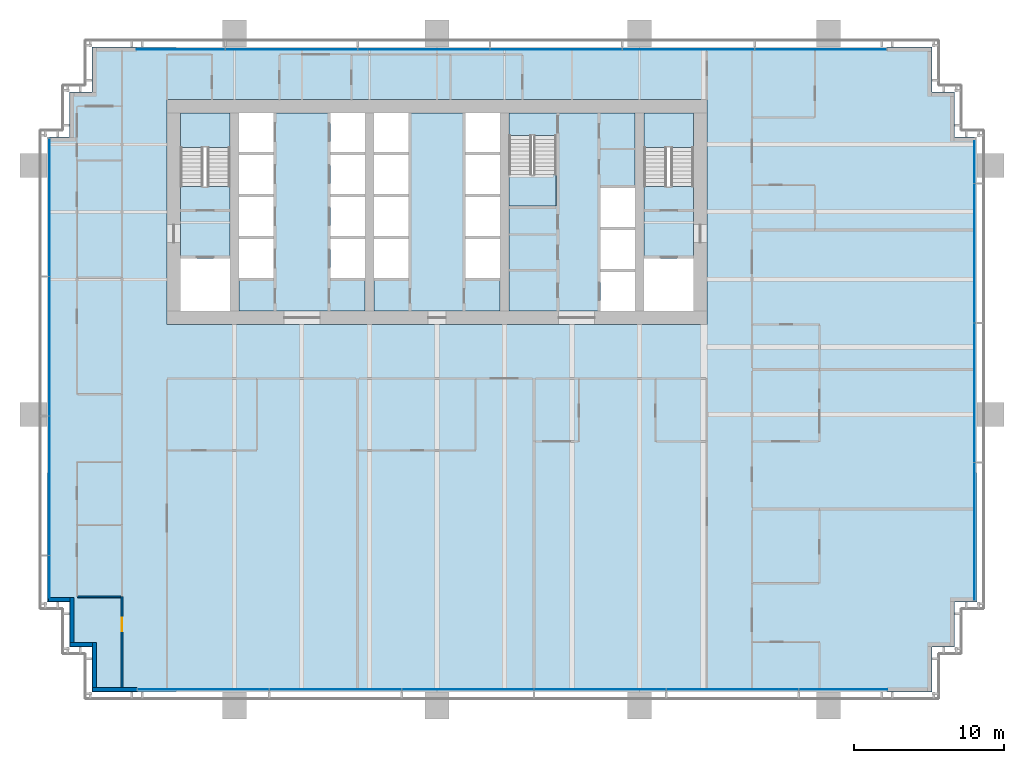
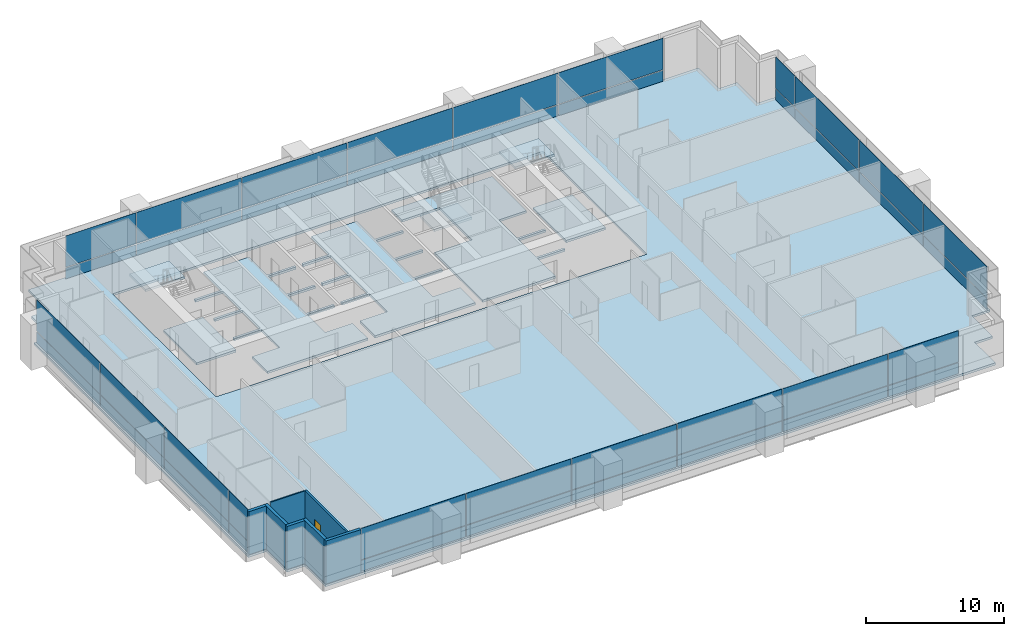
# One storey, part 11 of 19: 40 plates, 9 slabs, 7 walls, 1 door, 1 opening, 7 elements without a shape of their own.
"""IFC4 building model written with IfcOpenShell, lengths in metres."""

import ifcopenshell
import ifcopenshell.guid

model = None  # the IFC model being written
_history = None  # IfcOwnerHistory: only IFC2X3 demands one
_inside = {}  # id of a spatial element -> (the spatial element, [elements in it])
_under = {}  # id of a project, library or spatial element -> (it, [spatial elements below it])
_declared = {}  # id of a project -> (the project, [libraries it declares])
_typed = {}  # id of a type object -> (the type object, [elements of that type])
_made_of = {}  # id of a material, layer set ... -> (it, [elements and type objects made of it])


def new_model(schema):
    """Start an empty IFC model of exactly this schema.

    Asked for "IFC4X3", IfcOpenShell would pick the latest addendum, in which some entities
    have other attributes; the version numbers below select the first issue.
    IFC2X3 requires an IfcOwnerHistory on every rooted entity: one is made here for all.
    """
    global model, _history
    if schema == "IFC4X3":
        model = ifcopenshell.file(schema_version=(4, 3, 0, 0))
    else:
        model = ifcopenshell.file(schema=schema)
    _inside.clear()
    _under.clear()
    _declared.clear()
    _typed.clear()
    _made_of.clear()
    _history = None
    if model.schema == "IFC2X3":
        org = make("IfcOrganization", Name="unknown")
        user = make(
            "IfcPersonAndOrganization",
            ThePerson=make("IfcPerson", FamilyName="unknown"),
            TheOrganization=org,
        )
        app = make(
            "IfcApplication",
            ApplicationDeveloper=org,
            Version="unknown",
            ApplicationFullName="unknown",
            ApplicationIdentifier="unknown",
        )
        _history = make(
            "IfcOwnerHistory",
            OwningUser=user,
            OwningApplication=app,
            ChangeAction="ADDED",
            CreationDate=0,
        )
    return model


def make(cls, **values):
    """One entity of the class cls with the attributes given. An attribute that is None is left unset."""
    return model.create_entity(
        cls, **{name: value for name, value in values.items() if value is not None}
    )


def rooted(cls, **values):
    """An entity with a GlobalId (a new one), such as an element, a storey or a relation."""
    return make(cls, GlobalId=ifcopenshell.guid.new(), OwnerHistory=_history, **values)


def si_unit(unit_type, name, prefix=None):
    """IfcSIUnit, for example si_unit("LENGTHUNIT", "METRE", prefix="MILLI")."""
    return make("IfcSIUnit", UnitType=unit_type, Prefix=prefix, Name=name)


def assignment(units):
    """IfcUnitAssignment: the units of a project."""
    return None if units is None else make("IfcUnitAssignment", Units=units)


def point(xyz):
    """IfcCartesianPoint."""
    return None if xyz is None else make("IfcCartesianPoint", Coordinates=xyz)


def direction(xyz):
    """IfcDirection."""
    return None if xyz is None else make("IfcDirection", DirectionRatios=xyz)


def frame(location, z_axis=None, x_axis=None):
    """IfcAxis2Placement3D, a coordinate frame: its origin and axes. An axis left out is left unset."""
    return make(
        "IfcAxis2Placement3D",
        Location=point(location),
        Axis=direction(z_axis),
        RefDirection=direction(x_axis),
    )


def frame_2d(location, x_axis=None):
    """IfcAxis2Placement2D, a coordinate frame in the plane: its origin and x axis."""
    return make(
        "IfcAxis2Placement2D", Location=point(location), RefDirection=direction(x_axis)
    )


def origin():
    """The frame at (0, 0, 0) with its axes left unset."""
    return frame((0.0, 0.0, 0.0))


def origin_2d():
    """The frame at (0, 0) in the plane with its x axis left unset."""
    return frame_2d((0.0, 0.0))


def place(relative_to, where):
    """IfcLocalPlacement: puts the frame where relative to a parent placement (None: the world)."""
    return make(
        "IfcLocalPlacement", PlacementRelTo=relative_to, RelativePlacement=where
    )


def context(
    kind, dimensions, precision=None, world=None, true_north=None, identifier=None
):
    """IfcGeometricRepresentationContext, for example the 3D "Model" context."""
    return make(
        "IfcGeometricRepresentationContext",
        ContextIdentifier=identifier,
        ContextType=kind,
        CoordinateSpaceDimension=dimensions,
        Precision=precision,
        WorldCoordinateSystem=world,
        TrueNorth=true_north,
    )


def subcontext(parent, identifier, kind, view, scale=None):
    """IfcGeometricRepresentationSubContext, for example "Body" below "Model"."""
    return make(
        "IfcGeometricRepresentationSubContext",
        ContextIdentifier=identifier,
        ContextType=kind,
        ParentContext=parent,
        TargetScale=scale,
        TargetView=view,
    )


def project(units=None, contexts=None):
    """IfcProject with its units and contexts."""
    return rooted(
        "IfcProject",
        Name="project",
        RepresentationContexts=contexts,
        UnitsInContext=assignment(units),
    )


def spatial(cls, under=None, at=None, **own):
    """A site, building, storey or space (cls), placed at a placement, below another one or the project."""
    s = rooted(cls, ObjectPlacement=at, **own)
    if under is not None:
        _under.setdefault(under.id(), (under, []))[1].append(s)
    return s


def polyline(points):
    """IfcPolyline through the points."""
    return make("IfcPolyline", Points=[point(p) for p in points])


def profile(cls, at=None, kind="AREA", **sizes):
    """A parametric profile (cls). Its sizes go by their IFC names, for example OverallWidth=200.0."""
    return make(cls, ProfileType=kind, Position=at, **sizes)


def rectangle(**sizes):
    """IfcRectangleProfileDef."""
    return profile("IfcRectangleProfileDef", **sizes)


def outline(outer, holes=None, kind="AREA"):
    """IfcArbitraryClosedProfileDef: a profile drawn as a closed curve; with holes, ...WithVoids."""
    if holes is None:
        return make("IfcArbitraryClosedProfileDef", ProfileType=kind, OuterCurve=outer)
    return make(
        "IfcArbitraryProfileDefWithVoids",
        ProfileType=kind,
        OuterCurve=outer,
        InnerCurves=holes,
    )


def extrude(swept, where, along, depth):
    """IfcExtrudedAreaSolid: the profile swept, set in the frame where, extruded along a direction by depth."""
    return make(
        "IfcExtrudedAreaSolid",
        SweptArea=swept,
        Position=where,
        ExtrudedDirection=direction(along),
        Depth=depth,
    )


def shape(context_of_items, identifier, shape_type, items):
    """IfcShapeRepresentation: the items that make up one representation, for example the "Body"."""
    return make(
        "IfcShapeRepresentation",
        ContextOfItems=context_of_items,
        RepresentationIdentifier=identifier,
        RepresentationType=shape_type,
        Items=items,
    )


def material(Name=None, Category=None):
    """IfcMaterial."""
    return make("IfcMaterial", Name=Name, Category=Category)


def layer(
    of_material, thickness, ventilated=None, Name=None, Category=None, Priority=None
):
    """IfcMaterialLayer: one layer of a wall or slab, of a material (None: an air gap)."""
    return make(
        "IfcMaterialLayer",
        Material=of_material,
        LayerThickness=thickness,
        IsVentilated=ventilated,
        Name=Name,
        Category=Category,
        Priority=Priority,
    )


def layer_set(layers, Name=None):
    """IfcMaterialLayerSet."""
    return make("IfcMaterialLayerSet", MaterialLayers=layers, LayerSetName=Name)


def made_of(thing, what):
    """Note that an element or type object is made of a material, layer set ...; save() writes the relation."""
    if what is not None:
        _made_of.setdefault(what.id(), (what, []))[1].append(thing)
    return thing


def type_object(cls, material=None, **own):
    """A type object (cls), such as IfcWallType, which elements share."""
    return made_of(rooted(cls, **own), material)


def element(
    cls,
    number,
    at=None,
    inside=None,
    cuts=None,
    type_object=None,
    material=None,
    context=None,
    identifier="Body",
    shape_type=None,
    held_by="IfcProductDefinitionShape",
    body=None,
    shapes=None,
    **own,
):
    """One element of the class cls, such as IfcWall. Its Tag is "e" and its number.

    at: its placement. inside: the storey or other place that contains it. cuts: it is an
    opening in that element (IfcRelVoidsElement). A single representation is given by context,
    identifier, shape_type and body (its items); several are given by shapes. held_by: the class
    of the entity that holds the representations. save() writes the other relations.
    """
    e = rooted(cls, Tag="e%d" % number, ObjectPlacement=at, **own)
    if body is not None:
        shapes = [shape(context, identifier, shape_type, body)]
    if shapes is not None:
        e.Representation = make(held_by, Representations=shapes)
    if inside is not None:
        _inside.setdefault(inside.id(), (inside, []))[1].append(e)
    if cuts is not None:
        rooted(
            "IfcRelVoidsElement", RelatingBuildingElement=cuts, RelatedOpeningElement=e
        )
    if type_object is not None:
        _typed.setdefault(type_object.id(), (type_object, []))[1].append(e)
    return made_of(e, material)


def fill(opening, filler):
    """IfcRelFillsElement: the door or window that sits in an opening."""
    return rooted(
        "IfcRelFillsElement",
        RelatingOpeningElement=opening,
        RelatedBuildingElement=filler,
    )


def aggregate(whole, parts):
    """IfcRelAggregates: a whole, such as a stair, and the parts it consists of."""
    return rooted("IfcRelAggregates", RelatingObject=whole, RelatedObjects=parts)


def save(model, path):
    """Write the relations noted so far, then the file.

    IfcRelAggregates (storeys below a building ...), IfcRelContainedInSpatialStructure (elements
    in a storey), IfcRelDefinesByType, IfcRelAssociatesMaterial and IfcRelDeclares: one each for
    every whole, place, type object, material and project.
    """
    for whole, parts in _under.values():
        aggregate(whole, parts)
    for where, things in _inside.values():
        rooted(
            "IfcRelContainedInSpatialStructure",
            RelatedElements=things,
            RelatingStructure=where,
        )
    for kind, things in _typed.values():
        rooted("IfcRelDefinesByType", RelatedObjects=things, RelatingType=kind)
    for what, things in _made_of.values():
        rooted("IfcRelAssociatesMaterial", RelatedObjects=things, RelatingMaterial=what)
    for by, libraries in _declared.values():
        rooted("IfcRelDeclares", RelatingContext=by, RelatedDefinitions=libraries)
    model.write(path)


model = new_model("IFC4")

# Units and contexts
model_context = context("Model", 3, precision=1e-05, world=origin(), true_north=direction((0.0, 1.0)))
body_context = subcontext(model_context, "Body", "Model", "MODEL_VIEW")
ifc_project = project(units=[si_unit("LENGTHUNIT", "METRE"), si_unit("AREAUNIT", "SQUARE_METRE"), si_unit("VOLUMEUNIT", "CUBIC_METRE"), si_unit("PLANEANGLEUNIT", "RADIAN"), si_unit("MASSUNIT", "GRAM", prefix="KILO")], contexts=[model_context])

# Site, building, storey
site_placement = place(None, origin())
site = spatial("IfcSite", under=ifc_project, at=site_placement, CompositionType="ELEMENT")
building_placement = place(site_placement, origin())
building = spatial("IfcBuilding", under=site, at=building_placement, Name="Rattan Terrace Tower", CompositionType="ELEMENT")
storey_placement = place(building_placement, frame((0.0, 0.0, 111.699951171875)))
storey = spatial("IfcBuildingStorey", under=building, at=storey_placement, Name="L25", CompositionType="ELEMENT", Elevation=111.699951171875)

# Stair, slab
ifc_material_1 = material(Name="Concrete C40/50", Category="concrete")
stair_type = type_object("IfcStairType", Name="Core exit stair 1500", PredefinedType="HALF_TURN_STAIR", material=ifc_material_1)
stair_1_placement = place(storey_placement, origin())
stair_1 = element("IfcStair", 1, at=stair_1_placement, inside=storey, type_object=stair_type, Name="L25 exit stair 1", PredefinedType="HALF_TURN_STAIR")
ifc_material_2 = material(Name="Concrete C40/50", Category="concrete")
ifc_layer_1 = layer(ifc_material_2, 0.199951171875)
ifc_layer_set_1 = layer_set([ifc_layer_1], Name="Core exit stair landing")
slab_type_1 = type_object("IfcSlabType", Name="Core exit stair landing", PredefinedType="LANDING", material=ifc_layer_set_1)
slab_1_placement = place(storey_placement, frame((0.0, 0.0, 1.800048828125)))
slab_1 = element("IfcSlab", 2, at=slab_1_placement, type_object=slab_type_1, Name="S1 landing 1", PredefinedType="LANDING", context=body_context, shape_type="SweptSolid", body=[
    extrude(outline(polyline([(-13.800048828125, 4.300048828125), (-13.800048828125, 6.60009765625), (-17.10009765625, 6.60009765625), (-17.10009765625, 4.300048828125), (-13.800048828125, 4.300048828125)])), origin(), (0.0, 0.0, 1.0), 0.199951171875),
])
aggregate(stair_1, [slab_1])

stair_2_placement = place(storey_placement, origin())
stair_2 = element("IfcStair", 3, at=stair_2_placement, inside=storey, type_object=stair_type, Name="L25 exit stair 2", PredefinedType="HALF_TURN_STAIR")
slab_2_placement = place(storey_placement, frame((0.0, 0.0, 1.800048828125)))
slab_2 = element("IfcSlab", 4, at=slab_2_placement, type_object=slab_type_1, Name="S2 landing 1", PredefinedType="LANDING", context=body_context, shape_type="SweptSolid", body=[
    extrude(outline(polyline([(17.10009765625, 4.300048828125), (17.10009765625, 6.60009765625), (13.800048828125, 6.60009765625), (13.800048828125, 4.300048828125), (17.10009765625, 4.300048828125)])), origin(), (0.0, 0.0, 1.0), 0.199951171875),
])
aggregate(stair_2, [slab_2])

stair_3_placement = place(storey_placement, origin())
stair_3 = element("IfcStair", 5, at=stair_3_placement, inside=storey, type_object=stair_type, Name="L25 exit stair 3", PredefinedType="HALF_TURN_STAIR")
slab_3_placement = place(storey_placement, frame((0.0, 0.0, 1.800048828125)))
slab_3 = element("IfcSlab", 6, at=slab_3_placement, type_object=slab_type_1, Name="S3 landing 1", PredefinedType="LANDING", context=body_context, shape_type="SweptSolid", body=[
    extrude(outline(polyline([(4.800048828125, 2.5), (4.800048828125, 0.39990234375), (7.949951171875, 0.39990234375), (7.949951171875, 2.5), (4.800048828125, 2.5)])), origin(), (0.0, 0.0, 1.0), 0.199951171875),
])
aggregate(stair_3, [slab_3])

# Curtain wall, plates
ifc_material_3 = material(Name="Aluminium and glass", Category="aluminium")
curtain_wall_type = type_object("IfcCurtainWallType", Name="Facade Unitised Curtain Wall", PredefinedType="NOTDEFINED", material=ifc_material_3)
curtain_wall_1_placement = place(storey_placement, origin())
curtain_wall_1 = element("IfcCurtainWall", 7, at=curtain_wall_1_placement, inside=storey, type_object=curtain_wall_type, Name="Curtain wall L25-1", PredefinedType="NOTDEFINED")
ifc_material_4 = material(Name="Aluminium insulated spandrel panel", Category="aluminium")
ifc_layer_2 = layer(ifc_material_4, 0.028076171875)
ifc_layer_set_2 = layer_set([ifc_layer_2], Name="Facade CW Spandrel Panel")
plate_type_1 = type_object("IfcPlateType", Name="Facade CW Spandrel Panel", PredefinedType="CURTAIN_PANEL", material=ifc_layer_set_2)
plate_1_placement = place(storey_placement, frame((35.830078125, -21.3125, 0.0), z_axis=(0.0, 0.0, 1.0), x_axis=(0.0, 1.0, 0.0)))
plate_1 = element("IfcPlate", 8, at=plate_1_placement, type_object=plate_type_1, Name="Panel cwl-L25-001.1.1", PredefinedType="CURTAIN_PANEL", context=body_context, shape_type="SweptSolid", body=[
    extrude(rectangle(XDim=9.1650390625, YDim=0.028076171875, at=origin_2d()), origin(), (0.0, 0.0, 1.0), 0.969970703125),
])
plate_2_placement = place(storey_placement, frame((35.830078125, -12.050048828125, 0.0), z_axis=(0.0, 0.0, 1.0), x_axis=(0.0, 1.0, 0.0)))
plate_2 = element("IfcPlate", 9, at=plate_2_placement, type_object=plate_type_1, Name="Panel cwl-L25-001.2.1", PredefinedType="CURTAIN_PANEL", context=body_context, shape_type="SweptSolid", body=[
    extrude(rectangle(XDim=9.239990234375, YDim=0.028076171875, at=origin_2d()), origin(), (0.0, 0.0, 1.0), 0.969970703125),
])
plate_3_placement = place(storey_placement, frame((35.830078125, -2.75, 0.0), z_axis=(0.0, 0.0, 1.0), x_axis=(0.0, 1.0, 0.0)))
plate_3 = element("IfcPlate", 10, at=plate_3_placement, type_object=plate_type_1, Name="Panel cwl-L25-001.3.1", PredefinedType="CURTAIN_PANEL", context=body_context, shape_type="SweptSolid", body=[
    extrude(rectangle(XDim=9.239990234375, YDim=0.028076171875, at=origin_2d()), origin(), (0.0, 0.0, 1.0), 0.969970703125),
])
plate_4_placement = place(storey_placement, frame((35.830078125, 3.3173828125, 0.0), z_axis=(0.0, 0.0, 1.0), x_axis=(0.0, 1.0, 0.0)))
plate_4 = element("IfcPlate", 11, at=plate_4_placement, type_object=plate_type_1, Name="Panel cwl-L25-001.4.1", PredefinedType="CURTAIN_PANEL", context=body_context, shape_type="SweptSolid", body=[
    extrude(rectangle(XDim=2.77490234375, YDim=0.028076171875, at=origin_2d()), origin(), (0.0, 0.0, 1.0), 0.969970703125),
])

curtain_wall_2_placement = place(storey_placement, origin())
curtain_wall_2 = element("IfcCurtainWall", 12, at=curtain_wall_2_placement, inside=storey, type_object=curtain_wall_type, Name="Curtain wall L25-2", PredefinedType="NOTDEFINED")
plate_5_placement = place(storey_placement, frame((25.573486328125, 10.830078125, 0.0), z_axis=(0.0, 0.0, 1.0), x_axis=(-1.0, 0.0, 0.0)))
plate_5 = element("IfcPlate", 13, at=plate_5_placement, type_object=plate_type_1, Name="Panel cwl-L25-002.1.1", PredefinedType="CURTAIN_PANEL", context=body_context, shape_type="SweptSolid", body=[
    extrude(rectangle(XDim=8.73291015625, YDim=0.028076171875, at=origin_2d()), origin(), (0.0, 0.0, 1.0), 0.969970703125),
])
plate_6_placement = place(storey_placement, frame((16.765380859375, 10.830078125, 0.0), z_axis=(0.0, 0.0, 1.0), x_axis=(-1.0, 0.0, 0.0)))
plate_6 = element("IfcPlate", 14, at=plate_6_placement, type_object=plate_type_1, Name="Panel cwl-L25-002.2.1", PredefinedType="CURTAIN_PANEL", context=body_context, shape_type="SweptSolid", body=[
    extrude(rectangle(XDim=8.762939453125, YDim=0.028076171875, at=origin_2d()), origin(), (0.0, 0.0, 1.0), 0.969970703125),
])
plate_7_placement = place(storey_placement, frame((7.9423828125, 10.830078125, 0.0), z_axis=(0.0, 0.0, 1.0), x_axis=(-1.0, 0.0, 0.0)))
plate_7 = element("IfcPlate", 15, at=plate_7_placement, type_object=plate_type_1, Name="Panel cwl-L25-002.3.1", PredefinedType="CURTAIN_PANEL", context=body_context, shape_type="SweptSolid", body=[
    extrude(rectangle(XDim=8.762939453125, YDim=0.028076171875, at=origin_2d()), origin(), (0.0, 0.0, 1.0), 0.969970703125),
])
plate_8_placement = place(storey_placement, frame((-0.880615234375, 10.830078125, 0.0), z_axis=(0.0, 0.0, 1.0), x_axis=(-1.0, 0.0, 0.0)))
plate_8 = element("IfcPlate", 16, at=plate_8_placement, type_object=plate_type_1, Name="Panel cwl-L25-002.4.1", PredefinedType="CURTAIN_PANEL", context=body_context, shape_type="SweptSolid", body=[
    extrude(rectangle(XDim=8.762939453125, YDim=0.028076171875, at=origin_2d()), origin(), (0.0, 0.0, 1.0), 0.969970703125),
])
plate_9_placement = place(storey_placement, frame((-9.70361328125, 10.830078125, 0.0), z_axis=(0.0, 0.0, 1.0), x_axis=(-1.0, 0.0, 0.0)))
plate_9 = element("IfcPlate", 17, at=plate_9_placement, type_object=plate_type_1, Name="Panel cwl-L25-002.5.1", PredefinedType="CURTAIN_PANEL", context=body_context, shape_type="SweptSolid", body=[
    extrude(rectangle(XDim=8.762939453125, YDim=0.028076171875, at=origin_2d()), origin(), (0.0, 0.0, 1.0), 0.969970703125),
])
plate_10_placement = place(storey_placement, frame((-17.072509765625, 10.830078125, 0.0), z_axis=(0.0, 0.0, 1.0), x_axis=(-1.0, 0.0, 0.0)))
plate_10 = element("IfcPlate", 18, at=plate_10_placement, type_object=plate_type_1, Name="Panel cwl-L25-002.6.1", PredefinedType="CURTAIN_PANEL", context=body_context, shape_type="SweptSolid", body=[
    extrude(rectangle(XDim=5.85498046875, YDim=0.028076171875, at=origin_2d()), origin(), (0.0, 0.0, 1.0), 0.969970703125),
])

curtain_wall_3_placement = place(storey_placement, origin())
curtain_wall_3 = element("IfcCurtainWall", 19, at=curtain_wall_3_placement, inside=storey, type_object=curtain_wall_type, Name="Curtain wall L25-3", PredefinedType="NOTDEFINED")
plate_11_placement = place(storey_placement, frame((-25.830078125, 0.3125, 0.0), z_axis=(0.0, 0.0, 1.0), x_axis=(0.0, -1.0, 0.0)))
plate_11 = element("IfcPlate", 20, at=plate_11_placement, type_object=plate_type_1, Name="Panel cwl-L25-003.1.1", PredefinedType="CURTAIN_PANEL", context=body_context, shape_type="SweptSolid", body=[
    extrude(rectangle(XDim=9.1650390625, YDim=0.028076171875, at=origin_2d()), origin(), (0.0, 0.0, 1.0), 0.969970703125),
])
plate_12_placement = place(storey_placement, frame((-25.830078125, -8.949951171875, 0.0), z_axis=(0.0, 0.0, 1.0), x_axis=(0.0, -1.0, 0.0)))
plate_12 = element("IfcPlate", 21, at=plate_12_placement, type_object=plate_type_1, Name="Panel cwl-L25-003.2.1", PredefinedType="CURTAIN_PANEL", context=body_context, shape_type="SweptSolid", body=[
    extrude(rectangle(XDim=9.239990234375, YDim=0.028076171875, at=origin_2d()), origin(), (0.0, 0.0, 1.0), 0.969970703125),
])
plate_13_placement = place(storey_placement, frame((-25.830078125, -18.25, 0.0), z_axis=(0.0, 0.0, 1.0), x_axis=(0.0, -1.0, 0.0)))
plate_13 = element("IfcPlate", 22, at=plate_13_placement, type_object=plate_type_1, Name="Panel cwl-L25-003.3.1", PredefinedType="CURTAIN_PANEL", context=body_context, shape_type="SweptSolid", body=[
    extrude(rectangle(XDim=9.239990234375, YDim=0.028076171875, at=origin_2d()), origin(), (0.0, 0.0, 1.0), 0.969970703125),
])
plate_14_placement = place(storey_placement, frame((-25.830078125, -24.3173828125, 0.0), z_axis=(0.0, 0.0, 1.0), x_axis=(0.0, -1.0, 0.0)))
plate_14 = element("IfcPlate", 23, at=plate_14_placement, type_object=plate_type_1, Name="Panel cwl-L25-003.4.1", PredefinedType="CURTAIN_PANEL", context=body_context, shape_type="SweptSolid", body=[
    extrude(rectangle(XDim=2.77490234375, YDim=0.028076171875, at=origin_2d()), origin(), (0.0, 0.0, 1.0), 0.969970703125),
])

curtain_wall_4_placement = place(storey_placement, origin())
curtain_wall_4 = element("IfcCurtainWall", 24, at=curtain_wall_4_placement, inside=storey, type_object=curtain_wall_type, Name="Curtain wall L25-4", PredefinedType="NOTDEFINED")
plate_15_placement = place(storey_placement, frame((-15.573486328125, -31.830078125, 0.0), z_axis=(0.0, 0.0, 1.0), x_axis=(1.0, 0.0, 0.0)))
plate_15 = element("IfcPlate", 25, at=plate_15_placement, type_object=plate_type_1, Name="Panel cwl-L25-004.1.1", PredefinedType="CURTAIN_PANEL", context=body_context, shape_type="SweptSolid", body=[
    extrude(rectangle(XDim=8.73291015625, YDim=0.028076171875, at=origin_2d()), origin(), (0.0, 0.0, 1.0), 0.969970703125),
])
plate_16_placement = place(storey_placement, frame((-6.765380859375, -31.830078125, 0.0), z_axis=(0.0, 0.0, 1.0), x_axis=(1.0, 0.0, 0.0)))
plate_16 = element("IfcPlate", 26, at=plate_16_placement, type_object=plate_type_1, Name="Panel cwl-L25-004.2.1", PredefinedType="CURTAIN_PANEL", context=body_context, shape_type="SweptSolid", body=[
    extrude(rectangle(XDim=8.762939453125, YDim=0.028076171875, at=origin_2d()), origin(), (0.0, 0.0, 1.0), 0.969970703125),
])
plate_17_placement = place(storey_placement, frame((2.0576171875, -31.830078125, 0.0), z_axis=(0.0, 0.0, 1.0), x_axis=(1.0, 0.0, 0.0)))
plate_17 = element("IfcPlate", 27, at=plate_17_placement, type_object=plate_type_1, Name="Panel cwl-L25-004.3.1", PredefinedType="CURTAIN_PANEL", context=body_context, shape_type="SweptSolid", body=[
    extrude(rectangle(XDim=8.762939453125, YDim=0.028076171875, at=origin_2d()), origin(), (0.0, 0.0, 1.0), 0.969970703125),
])
plate_18_placement = place(storey_placement, frame((10.880615234375, -31.830078125, 0.0), z_axis=(0.0, 0.0, 1.0), x_axis=(1.0, 0.0, 0.0)))
plate_18 = element("IfcPlate", 28, at=plate_18_placement, type_object=plate_type_1, Name="Panel cwl-L25-004.4.1", PredefinedType="CURTAIN_PANEL", context=body_context, shape_type="SweptSolid", body=[
    extrude(rectangle(XDim=8.762939453125, YDim=0.028076171875, at=origin_2d()), origin(), (0.0, 0.0, 1.0), 0.969970703125),
])
plate_19_placement = place(storey_placement, frame((19.70361328125, -31.830078125, 0.0), z_axis=(0.0, 0.0, 1.0), x_axis=(1.0, 0.0, 0.0)))
plate_19 = element("IfcPlate", 29, at=plate_19_placement, type_object=plate_type_1, Name="Panel cwl-L25-004.5.1", PredefinedType="CURTAIN_PANEL", context=body_context, shape_type="SweptSolid", body=[
    extrude(rectangle(XDim=8.762939453125, YDim=0.028076171875, at=origin_2d()), origin(), (0.0, 0.0, 1.0), 0.969970703125),
])
plate_20_placement = place(storey_placement, frame((27.072509765625, -31.830078125, 0.0), z_axis=(0.0, 0.0, 1.0), x_axis=(1.0, 0.0, 0.0)))
plate_20 = element("IfcPlate", 30, at=plate_20_placement, type_object=plate_type_1, Name="Panel cwl-L25-004.6.1", PredefinedType="CURTAIN_PANEL", context=body_context, shape_type="SweptSolid", body=[
    extrude(rectangle(XDim=5.85498046875, YDim=0.028076171875, at=origin_2d()), origin(), (0.0, 0.0, 1.0), 0.969970703125),
])

# Plate
ifc_material_5 = material(Name="Clear low-iron glass", Category="glass")
ifc_layer_3 = layer(ifc_material_5, 0.028076171875)
ifc_layer_set_3 = layer_set([ifc_layer_3], Name="Facade CW Vision Panel")
plate_type_2 = type_object("IfcPlateType", Name="Facade CW Vision Panel", PredefinedType="CURTAIN_PANEL", material=ifc_layer_set_3)
plate_21_placement = place(storey_placement, frame((35.830078125, -21.3125, 1.030029296875), z_axis=(0.0, 0.0, 1.0), x_axis=(0.0, 1.0, 0.0)))
plate_21 = element("IfcPlate", 31, at=plate_21_placement, type_object=plate_type_2, Name="Panel cwl-L25-001.1.2", PredefinedType="CURTAIN_PANEL", context=body_context, shape_type="SweptSolid", body=[
    extrude(rectangle(XDim=9.1650390625, YDim=0.028076171875, at=origin_2d()), origin(), (0.0, 0.0, 1.0), 2.77001953125),
])

plate_22_placement = place(storey_placement, frame((35.830078125, -12.050048828125, 1.030029296875), z_axis=(0.0, 0.0, 1.0), x_axis=(0.0, 1.0, 0.0)))
plate_22 = element("IfcPlate", 32, at=plate_22_placement, type_object=plate_type_2, Name="Panel cwl-L25-001.2.2", PredefinedType="CURTAIN_PANEL", context=body_context, shape_type="SweptSolid", body=[
    extrude(rectangle(XDim=9.239990234375, YDim=0.028076171875, at=origin_2d()), origin(), (0.0, 0.0, 1.0), 2.77001953125),
])

plate_23_placement = place(storey_placement, frame((35.830078125, -2.75, 1.030029296875), z_axis=(0.0, 0.0, 1.0), x_axis=(0.0, 1.0, 0.0)))
plate_23 = element("IfcPlate", 33, at=plate_23_placement, type_object=plate_type_2, Name="Panel cwl-L25-001.3.2", PredefinedType="CURTAIN_PANEL", context=body_context, shape_type="SweptSolid", body=[
    extrude(rectangle(XDim=9.239990234375, YDim=0.028076171875, at=origin_2d()), origin(), (0.0, 0.0, 1.0), 2.77001953125),
])

plate_24_placement = place(storey_placement, frame((35.830078125, 3.3173828125, 1.030029296875), z_axis=(0.0, 0.0, 1.0), x_axis=(0.0, 1.0, 0.0)))
plate_24 = element("IfcPlate", 34, at=plate_24_placement, type_object=plate_type_2, Name="Panel cwl-L25-001.4.2", PredefinedType="CURTAIN_PANEL", context=body_context, shape_type="SweptSolid", body=[
    extrude(rectangle(XDim=2.77490234375, YDim=0.028076171875, at=origin_2d()), origin(), (0.0, 0.0, 1.0), 2.77001953125),
])

aggregate(curtain_wall_1, [plate_1, plate_21, plate_2, plate_22, plate_3, plate_23, plate_4, plate_24])

plate_25_placement = place(storey_placement, frame((25.573486328125, 10.830078125, 1.030029296875), z_axis=(0.0, 0.0, 1.0), x_axis=(-1.0, 0.0, 0.0)))
plate_25 = element("IfcPlate", 35, at=plate_25_placement, type_object=plate_type_2, Name="Panel cwl-L25-002.1.2", PredefinedType="CURTAIN_PANEL", context=body_context, shape_type="SweptSolid", body=[
    extrude(rectangle(XDim=8.73291015625, YDim=0.028076171875, at=origin_2d()), origin(), (0.0, 0.0, 1.0), 2.77001953125),
])

plate_26_placement = place(storey_placement, frame((16.765380859375, 10.830078125, 1.030029296875), z_axis=(0.0, 0.0, 1.0), x_axis=(-1.0, 0.0, 0.0)))
plate_26 = element("IfcPlate", 36, at=plate_26_placement, type_object=plate_type_2, Name="Panel cwl-L25-002.2.2", PredefinedType="CURTAIN_PANEL", context=body_context, shape_type="SweptSolid", body=[
    extrude(rectangle(XDim=8.762939453125, YDim=0.028076171875, at=origin_2d()), origin(), (0.0, 0.0, 1.0), 2.77001953125),
])

plate_27_placement = place(storey_placement, frame((7.9423828125, 10.830078125, 1.030029296875), z_axis=(0.0, 0.0, 1.0), x_axis=(-1.0, 0.0, 0.0)))
plate_27 = element("IfcPlate", 37, at=plate_27_placement, type_object=plate_type_2, Name="Panel cwl-L25-002.3.2", PredefinedType="CURTAIN_PANEL", context=body_context, shape_type="SweptSolid", body=[
    extrude(rectangle(XDim=8.762939453125, YDim=0.028076171875, at=origin_2d()), origin(), (0.0, 0.0, 1.0), 2.77001953125),
])

plate_28_placement = place(storey_placement, frame((-0.880615234375, 10.830078125, 1.030029296875), z_axis=(0.0, 0.0, 1.0), x_axis=(-1.0, 0.0, 0.0)))
plate_28 = element("IfcPlate", 38, at=plate_28_placement, type_object=plate_type_2, Name="Panel cwl-L25-002.4.2", PredefinedType="CURTAIN_PANEL", context=body_context, shape_type="SweptSolid", body=[
    extrude(rectangle(XDim=8.762939453125, YDim=0.028076171875, at=origin_2d()), origin(), (0.0, 0.0, 1.0), 2.77001953125),
])

plate_29_placement = place(storey_placement, frame((-9.70361328125, 10.830078125, 1.030029296875), z_axis=(0.0, 0.0, 1.0), x_axis=(-1.0, 0.0, 0.0)))
plate_29 = element("IfcPlate", 39, at=plate_29_placement, type_object=plate_type_2, Name="Panel cwl-L25-002.5.2", PredefinedType="CURTAIN_PANEL", context=body_context, shape_type="SweptSolid", body=[
    extrude(rectangle(XDim=8.762939453125, YDim=0.028076171875, at=origin_2d()), origin(), (0.0, 0.0, 1.0), 2.77001953125),
])

plate_30_placement = place(storey_placement, frame((-17.072509765625, 10.830078125, 1.030029296875), z_axis=(0.0, 0.0, 1.0), x_axis=(-1.0, 0.0, 0.0)))
plate_30 = element("IfcPlate", 40, at=plate_30_placement, type_object=plate_type_2, Name="Panel cwl-L25-002.6.2", PredefinedType="CURTAIN_PANEL", context=body_context, shape_type="SweptSolid", body=[
    extrude(rectangle(XDim=5.85498046875, YDim=0.028076171875, at=origin_2d()), origin(), (0.0, 0.0, 1.0), 2.77001953125),
])

aggregate(curtain_wall_2, [plate_5, plate_25, plate_6, plate_26, plate_7, plate_27, plate_8, plate_28, plate_9, plate_29, plate_10, plate_30])

plate_31_placement = place(storey_placement, frame((-25.830078125, 0.3125, 1.030029296875), z_axis=(0.0, 0.0, 1.0), x_axis=(0.0, -1.0, 0.0)))
plate_31 = element("IfcPlate", 41, at=plate_31_placement, type_object=plate_type_2, Name="Panel cwl-L25-003.1.2", PredefinedType="CURTAIN_PANEL", context=body_context, shape_type="SweptSolid", body=[
    extrude(rectangle(XDim=9.1650390625, YDim=0.028076171875, at=origin_2d()), origin(), (0.0, 0.0, 1.0), 2.77001953125),
])

plate_32_placement = place(storey_placement, frame((-25.830078125, -8.949951171875, 1.030029296875), z_axis=(0.0, 0.0, 1.0), x_axis=(0.0, -1.0, 0.0)))
plate_32 = element("IfcPlate", 42, at=plate_32_placement, type_object=plate_type_2, Name="Panel cwl-L25-003.2.2", PredefinedType="CURTAIN_PANEL", context=body_context, shape_type="SweptSolid", body=[
    extrude(rectangle(XDim=9.239990234375, YDim=0.028076171875, at=origin_2d()), origin(), (0.0, 0.0, 1.0), 2.77001953125),
])

plate_33_placement = place(storey_placement, frame((-25.830078125, -18.25, 1.030029296875), z_axis=(0.0, 0.0, 1.0), x_axis=(0.0, -1.0, 0.0)))
plate_33 = element("IfcPlate", 43, at=plate_33_placement, type_object=plate_type_2, Name="Panel cwl-L25-003.3.2", PredefinedType="CURTAIN_PANEL", context=body_context, shape_type="SweptSolid", body=[
    extrude(rectangle(XDim=9.239990234375, YDim=0.028076171875, at=origin_2d()), origin(), (0.0, 0.0, 1.0), 2.77001953125),
])

plate_34_placement = place(storey_placement, frame((-25.830078125, -24.3173828125, 1.030029296875), z_axis=(0.0, 0.0, 1.0), x_axis=(0.0, -1.0, 0.0)))
plate_34 = element("IfcPlate", 44, at=plate_34_placement, type_object=plate_type_2, Name="Panel cwl-L25-003.4.2", PredefinedType="CURTAIN_PANEL", context=body_context, shape_type="SweptSolid", body=[
    extrude(rectangle(XDim=2.77490234375, YDim=0.028076171875, at=origin_2d()), origin(), (0.0, 0.0, 1.0), 2.77001953125),
])

aggregate(curtain_wall_3, [plate_11, plate_31, plate_12, plate_32, plate_13, plate_33, plate_14, plate_34])

plate_35_placement = place(storey_placement, frame((-15.573486328125, -31.830078125, 1.030029296875), z_axis=(0.0, 0.0, 1.0), x_axis=(1.0, 0.0, 0.0)))
plate_35 = element("IfcPlate", 45, at=plate_35_placement, type_object=plate_type_2, Name="Panel cwl-L25-004.1.2", PredefinedType="CURTAIN_PANEL", context=body_context, shape_type="SweptSolid", body=[
    extrude(rectangle(XDim=8.73291015625, YDim=0.028076171875, at=origin_2d()), origin(), (0.0, 0.0, 1.0), 2.77001953125),
])

plate_36_placement = place(storey_placement, frame((-6.765380859375, -31.830078125, 1.030029296875), z_axis=(0.0, 0.0, 1.0), x_axis=(1.0, 0.0, 0.0)))
plate_36 = element("IfcPlate", 46, at=plate_36_placement, type_object=plate_type_2, Name="Panel cwl-L25-004.2.2", PredefinedType="CURTAIN_PANEL", context=body_context, shape_type="SweptSolid", body=[
    extrude(rectangle(XDim=8.762939453125, YDim=0.028076171875, at=origin_2d()), origin(), (0.0, 0.0, 1.0), 2.77001953125),
])

plate_37_placement = place(storey_placement, frame((2.0576171875, -31.830078125, 1.030029296875), z_axis=(0.0, 0.0, 1.0), x_axis=(1.0, 0.0, 0.0)))
plate_37 = element("IfcPlate", 47, at=plate_37_placement, type_object=plate_type_2, Name="Panel cwl-L25-004.3.2", PredefinedType="CURTAIN_PANEL", context=body_context, shape_type="SweptSolid", body=[
    extrude(rectangle(XDim=8.762939453125, YDim=0.028076171875, at=origin_2d()), origin(), (0.0, 0.0, 1.0), 2.77001953125),
])

plate_38_placement = place(storey_placement, frame((10.880615234375, -31.830078125, 1.030029296875), z_axis=(0.0, 0.0, 1.0), x_axis=(1.0, 0.0, 0.0)))
plate_38 = element("IfcPlate", 48, at=plate_38_placement, type_object=plate_type_2, Name="Panel cwl-L25-004.4.2", PredefinedType="CURTAIN_PANEL", context=body_context, shape_type="SweptSolid", body=[
    extrude(rectangle(XDim=8.762939453125, YDim=0.028076171875, at=origin_2d()), origin(), (0.0, 0.0, 1.0), 2.77001953125),
])

plate_39_placement = place(storey_placement, frame((19.70361328125, -31.830078125, 1.030029296875), z_axis=(0.0, 0.0, 1.0), x_axis=(1.0, 0.0, 0.0)))
plate_39 = element("IfcPlate", 49, at=plate_39_placement, type_object=plate_type_2, Name="Panel cwl-L25-004.5.2", PredefinedType="CURTAIN_PANEL", context=body_context, shape_type="SweptSolid", body=[
    extrude(rectangle(XDim=8.762939453125, YDim=0.028076171875, at=origin_2d()), origin(), (0.0, 0.0, 1.0), 2.77001953125),
])

plate_40_placement = place(storey_placement, frame((27.072509765625, -31.830078125, 1.030029296875), z_axis=(0.0, 0.0, 1.0), x_axis=(1.0, 0.0, 0.0)))
plate_40 = element("IfcPlate", 50, at=plate_40_placement, type_object=plate_type_2, Name="Panel cwl-L25-004.6.2", PredefinedType="CURTAIN_PANEL", context=body_context, shape_type="SweptSolid", body=[
    extrude(rectangle(XDim=5.85498046875, YDim=0.028076171875, at=origin_2d()), origin(), (0.0, 0.0, 1.0), 2.77001953125),
])

aggregate(curtain_wall_4, [plate_15, plate_35, plate_16, plate_36, plate_17, plate_37, plate_18, plate_38, plate_19, plate_39, plate_20, plate_40])

# Slabs
ifc_material_6 = material(Name="Concrete C35/45", Category="concrete")
ifc_layer_4 = layer(ifc_material_6, 0.199951171875)
ifc_layer_set_4 = layer_set([ifc_layer_4], Name="Frame composite floor slab 200")
slab_type_2 = type_object("IfcSlabType", Name="Frame composite floor slab 200", PredefinedType="FLOOR", material=ifc_layer_set_4)
slab_4_placement = place(storey_placement, frame((0.0, 0.0, -0.199951171875)))
element("IfcSlab", 51, at=slab_4_placement, inside=storey, type_object=slab_type_2, Name="Floor slab", PredefinedType="FLOOR", context=body_context, shape_type="SweptSolid", body=[
    extrude(outline(polyline([(-20.0, -32.0), (30.0, -32.0), (33.0, -32.0), (33.0, -29.0), (34.5, -29.0), (34.5, -26.0), (36.0, -26.0), (36.0, 5.0), (34.5, 5.0), (34.5, 8.0), (33.0, 8.0), (33.0, 11.0), (30.0, 11.0), (-20.0, 11.0), (-23.0, 11.0), (-23.0, 8.0), (-24.5, 8.0), (-24.5, 5.0), (-26.0, 5.0), (-26.0, -26.0), (-24.5, -26.0), (-24.5, -29.0), (-23.0, -29.0), (-23.0, -32.0), (-20.0, -32.0)]), holes=[polyline([(-18.0, -6.60009765625), (-18.0, -7.5), (18.0, -7.5), (18.0, -6.60009765625), (18.0, 6.60009765625), (18.0, 7.5), (-18.0, 7.5), (-18.0, 6.60009765625), (-18.0, -6.60009765625)])]), origin(), (0.0, 0.0, 1.0), 0.199951171875),
])
slab_5_placement = place(storey_placement, frame((0.0, 0.0, -0.199951171875)))
element("IfcSlab", 52, at=slab_5_placement, inside=storey, type_object=slab_type_2, Name="Floor slab", PredefinedType="FLOOR", context=body_context, shape_type="SweptSolid", body=[
    extrude(outline(polyline([(-10.89990234375, 6.60009765625), (-10.89990234375, 4.0), (-13.199951171875, 4.0), (-13.199951171875, 3.800048828125), (-10.89990234375, 3.800048828125), (-10.89990234375, 1.199951171875), (-13.199951171875, 1.199951171875), (-13.199951171875, 1.0), (-10.89990234375, 1.0), (-10.89990234375, -1.60009765625), (-13.199951171875, -1.60009765625), (-13.199951171875, -1.800048828125), (-10.89990234375, -1.800048828125), (-10.89990234375, -4.39990234375), (-13.199951171875, -4.39990234375), (-13.199951171875, -6.60009765625), (-4.800048828125, -6.60009765625), (-4.800048828125, -4.39990234375), (-7.10009765625, -4.39990234375), (-7.10009765625, -1.800048828125), (-4.800048828125, -1.800048828125), (-4.800048828125, -1.60009765625), (-7.10009765625, -1.60009765625), (-7.10009765625, 1.0), (-4.800048828125, 1.0), (-4.800048828125, 1.199951171875), (-7.10009765625, 1.199951171875), (-7.10009765625, 3.800048828125), (-4.800048828125, 3.800048828125), (-4.800048828125, 4.0), (-7.10009765625, 4.0), (-7.10009765625, 6.60009765625), (-10.89990234375, 6.60009765625)])), origin(), (0.0, 0.0, 1.0), 0.199951171875),
])
slab_6_placement = place(storey_placement, frame((0.0, 0.0, -0.199951171875)))
element("IfcSlab", 53, at=slab_6_placement, inside=storey, type_object=slab_type_2, Name="Floor slab", PredefinedType="FLOOR", context=body_context, shape_type="SweptSolid", body=[
    extrude(outline(polyline([(-17.10009765625, -3.10009765625), (-13.800048828125, -3.10009765625), (-13.800048828125, 1.7099609375), (-17.10009765625, 1.7099609375), (-17.10009765625, -3.10009765625)])), origin(), (0.0, 0.0, 1.0), 0.199951171875),
])
slab_7_placement = place(storey_placement, frame((0.0, 0.0, -0.199951171875)))
element("IfcSlab", 54, at=slab_7_placement, inside=storey, type_object=slab_type_2, Name="Floor slab", PredefinedType="FLOOR", context=body_context, shape_type="SweptSolid", body=[
    extrude(outline(polyline([(-4.199951171875, 4.0), (-4.199951171875, 3.800048828125), (-1.89990234375, 3.800048828125), (-1.89990234375, 1.199951171875), (-4.199951171875, 1.199951171875), (-4.199951171875, 1.0), (-1.89990234375, 1.0), (-1.89990234375, -1.60009765625), (-4.199951171875, -1.60009765625), (-4.199951171875, -1.800048828125), (-1.89990234375, -1.800048828125), (-1.89990234375, -4.39990234375), (-4.199951171875, -4.39990234375), (-4.199951171875, -6.60009765625), (4.199951171875, -6.60009765625), (4.199951171875, -4.39990234375), (1.89990234375, -4.39990234375), (1.89990234375, -1.800048828125), (4.199951171875, -1.800048828125), (4.199951171875, -1.60009765625), (1.89990234375, -1.60009765625), (1.89990234375, 1.0), (4.199951171875, 1.0), (4.199951171875, 1.199951171875), (1.89990234375, 1.199951171875), (1.89990234375, 3.800048828125), (4.199951171875, 3.800048828125), (4.199951171875, 4.0), (1.89990234375, 4.0), (1.89990234375, 6.60009765625), (-1.89990234375, 6.60009765625), (-1.89990234375, 4.0), (-4.199951171875, 4.0)])), origin(), (0.0, 0.0, 1.0), 0.199951171875),
])
slab_8_placement = place(storey_placement, frame((0.0, 0.0, -0.199951171875)))
element("IfcSlab", 55, at=slab_8_placement, inside=storey, type_object=slab_type_2, Name="Floor slab", PredefinedType="FLOOR", context=body_context, shape_type="SweptSolid", body=[
    extrude(outline(polyline([(4.800048828125, 5.090087890625), (7.949951171875, 5.090087890625), (7.949951171875, 0.39990234375), (4.800048828125, 0.39990234375), (4.800048828125, -6.60009765625), (10.89990234375, -6.60009765625), (10.89990234375, -4.0), (13.199951171875, -4.0), (13.199951171875, -3.800048828125), (10.89990234375, -3.800048828125), (10.89990234375, -1.199951171875), (13.199951171875, -1.199951171875), (13.199951171875, -1.0), (10.89990234375, -1.0), (10.89990234375, 1.60009765625), (13.199951171875, 1.60009765625), (13.199951171875, 6.60009765625), (4.800048828125, 6.60009765625), (4.800048828125, 5.090087890625)])), origin(), (0.0, 0.0, 1.0), 0.199951171875),
])
slab_9_placement = place(storey_placement, frame((0.0, 0.0, -0.199951171875)))
element("IfcSlab", 56, at=slab_9_placement, inside=storey, type_object=slab_type_2, Name="Floor slab", PredefinedType="FLOOR", context=body_context, shape_type="SweptSolid", body=[
    extrude(outline(polyline([(13.800048828125, -3.10009765625), (17.10009765625, -3.10009765625), (17.10009765625, 1.7099609375), (13.800048828125, 1.7099609375), (13.800048828125, -3.10009765625)])), origin(), (0.0, 0.0, 1.0), 0.199951171875),
])

# Walls
ifc_material_7 = material(Name="Insulated aluminium-clad stud wall", Category="aluminium")
ifc_layer_5 = layer(ifc_material_7, 0.25)
ifc_layer_set_5 = layer_set([ifc_layer_5], Name="Facade Riser Wall 250")
wall_type_1 = type_object("IfcWallType", Name="Facade Riser Wall 250", PredefinedType="SOLIDWALL", material=ifc_layer_set_5)
wall_1_placement = place(storey_placement, frame((-25.909912109375, -25.830078125, 0.0), z_axis=(0.0, 0.0, 1.0), x_axis=(1.0, 0.0, 0.0)))
element("IfcWall", 57, at=wall_1_placement, inside=storey, type_object=wall_type_1, Name="Riser wall L25-16", PredefinedType="SOLIDWALL", context=body_context, shape_type="SweptSolid", body=[
    extrude(rectangle(XDim=1.454833984375, YDim=0.25, at=frame_2d((0.7275390625, 0.0))), origin(), (0.0, 0.0, 1.0), 3.800048828125),
])
wall_2_placement = place(storey_placement, frame((-24.330078125, -25.705078125, 0.0), z_axis=(0.0, 0.0, 1.0), x_axis=(0.0, -1.0, 0.0)))
element("IfcWall", 58, at=wall_2_placement, inside=storey, type_object=wall_type_1, Name="Riser wall L25-17", PredefinedType="SOLIDWALL", context=body_context, shape_type="SweptSolid", body=[
    extrude(rectangle(XDim=3.0, YDim=0.25, at=frame_2d((1.5, 0.0))), origin(), (0.0, 0.0, 1.0), 3.800048828125),
])
wall_3_placement = place(storey_placement, frame((-24.455078125, -28.830078125, 0.0), z_axis=(0.0, 0.0, 1.0), x_axis=(1.0, 0.0, 0.0)))
element("IfcWall", 59, at=wall_3_placement, inside=storey, type_object=wall_type_1, Name="Riser wall L25-18", PredefinedType="SOLIDWALL", context=body_context, shape_type="SweptSolid", body=[
    extrude(rectangle(XDim=1.5, YDim=0.25, at=frame_2d((0.75, 0.0))), origin(), (0.0, 0.0, 1.0), 3.800048828125),
])
wall_4_placement = place(storey_placement, frame((-22.830078125, -28.705078125, 0.0), z_axis=(0.0, 0.0, 1.0), x_axis=(0.0, -1.0, 0.0)))
element("IfcWall", 60, at=wall_4_placement, inside=storey, type_object=wall_type_1, Name="Riser wall L25-19", PredefinedType="SOLIDWALL", context=body_context, shape_type="SweptSolid", body=[
    extrude(rectangle(XDim=3.0, YDim=0.25, at=frame_2d((1.5, 0.0))), origin(), (0.0, 0.0, 1.0), 3.800048828125),
])
wall_5_placement = place(storey_placement, frame((-22.955078125, -31.830078125, 0.0), z_axis=(0.0, 0.0, 1.0), x_axis=(1.0, 0.0, 0.0)))
element("IfcWall", 61, at=wall_5_placement, inside=storey, type_object=wall_type_1, Name="Riser wall L25-20", PredefinedType="SOLIDWALL", context=body_context, shape_type="SweptSolid", body=[
    extrude(rectangle(XDim=2.955078125, YDim=0.25, at=frame_2d((1.4775390625, 0.0))), origin(), (0.0, 0.0, 1.0), 3.800048828125),
])
ifc_material_8 = material(Name="Gypsum board partition on steel studs", Category="steel")
ifc_layer_6 = layer(ifc_material_8, 0.10009765625)
ifc_layer_set_6 = layer_set([ifc_layer_6], Name="Floors Partition 100")
wall_type_2 = type_object("IfcWallType", Name="Floors Partition 100", PredefinedType="PARTITIONING", material=ifc_layer_set_6)
wall_6_placement = place(storey_placement, frame((-23.949951171875, -25.659912109375, 0.0), z_axis=(0.0, 0.0, 1.0), x_axis=(1.0, 0.0, 0.0)))
element("IfcWall", 62, at=wall_6_placement, inside=storey, type_object=wall_type_2, Name="pt-L25-033", PredefinedType="PARTITIONING", context=body_context, shape_type="SweptSolid", body=[
    extrude(rectangle(XDim=2.875, YDim=0.10009765625, at=frame_2d((1.4375, 0.0))), origin(), (0.0, 0.0, 1.0), 3.800048828125),
])

# Wall, opening, door
ifc_material_9 = material(Name="Gypsum board partition on steel studs, fire rated", Category="steel")
ifc_layer_7 = layer(ifc_material_9, 0.14990234375)
ifc_layer_set_7 = layer_set([ifc_layer_7], Name="Floors Tenancy Wall 150")
wall_type_3 = type_object("IfcWallType", Name="Floors Tenancy Wall 150", PredefinedType="PARTITIONING", material=ifc_layer_set_7)
wall_7_placement = place(storey_placement, frame((-21.0, -31.739990234375, 0.0), z_axis=(0.0, 0.0, 1.0), x_axis=(0.0, 1.0, 0.0)))
wall_7 = element("IfcWall", 63, at=wall_7_placement, inside=storey, type_object=wall_type_3, Name="pt-L25-002", PredefinedType="PARTITIONING", context=body_context, shape_type="SweptSolid", body=[
    extrude(rectangle(XDim=6.10009765625, YDim=0.14990234375, at=frame_2d((3.050048828125, 0.0))), origin(), (0.0, 0.0, 1.0), 3.800048828125),
])
opening_placement = place(wall_7_placement, frame((3.77490234375, 0.0, 0.0)))
opening = element("IfcOpeningElement", 64, at=opening_placement, cuts=wall_7, Name="Opening L25-D100", PredefinedType="OPENING", context=body_context, shape_type="SweptSolid", body=[
    extrude(rectangle(XDim=0.89990234375, YDim=2.10009765625, at=frame_2d((0.449951171875, 1.050048828125))), frame((0.0, 0.08544921875, 0.0), z_axis=(0.0, -1.0, 0.0), x_axis=(1.0, 0.0, 0.0)), (0.0, 0.0, 1.0), 0.1708984375),
])
ifc_material_10 = material(Name="Steel fire door set", Category="steel")
door_type = type_object("IfcDoorType", Name="Floors Fire Door FD30S 900x2100", OperationType="NOTDEFINED", PredefinedType="DOOR", material=ifc_material_10)
door_placement = place(opening_placement, origin())
door = element("IfcDoor", 65, at=door_placement, inside=storey, type_object=door_type, Name="d-L25-100", OperationType="SINGLE_SWING_RIGHT", OverallHeight=2.10009765625, OverallWidth=0.89990234375, PredefinedType="DOOR", context=body_context, shape_type="SweptSolid", body=[
    extrude(rectangle(XDim=0.89990234375, YDim=2.10009765625, at=frame_2d((0.449951171875, 1.050048828125))), frame((0.0, 0.02490234375, 0.0), z_axis=(0.0, -1.0, 0.0), x_axis=(1.0, 0.0, 0.0)), (0.0, 0.0, 1.0), 0.050048828125),
])
fill(opening, door)

save(model, "model.ifc")
